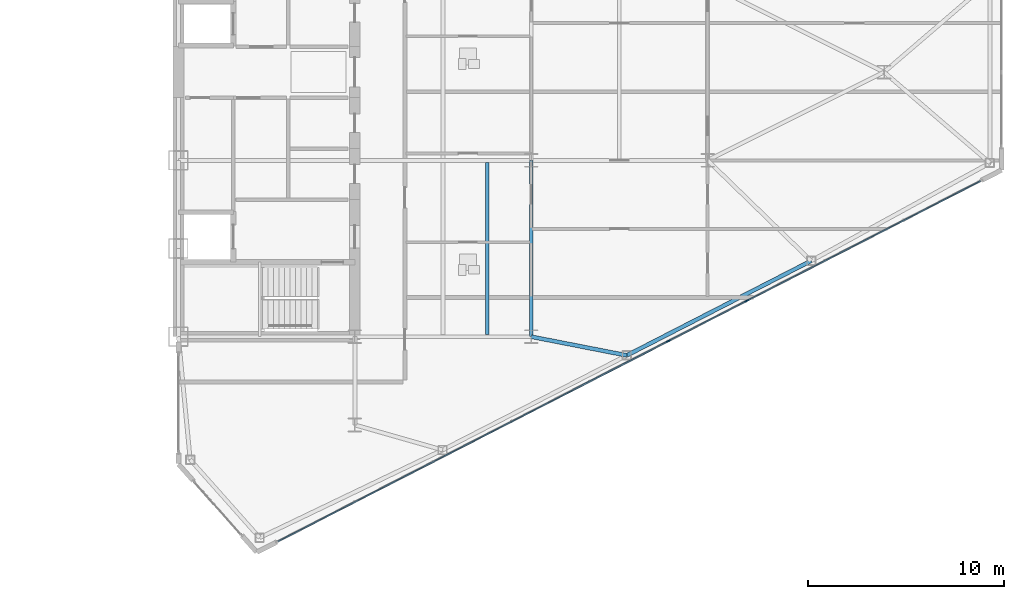
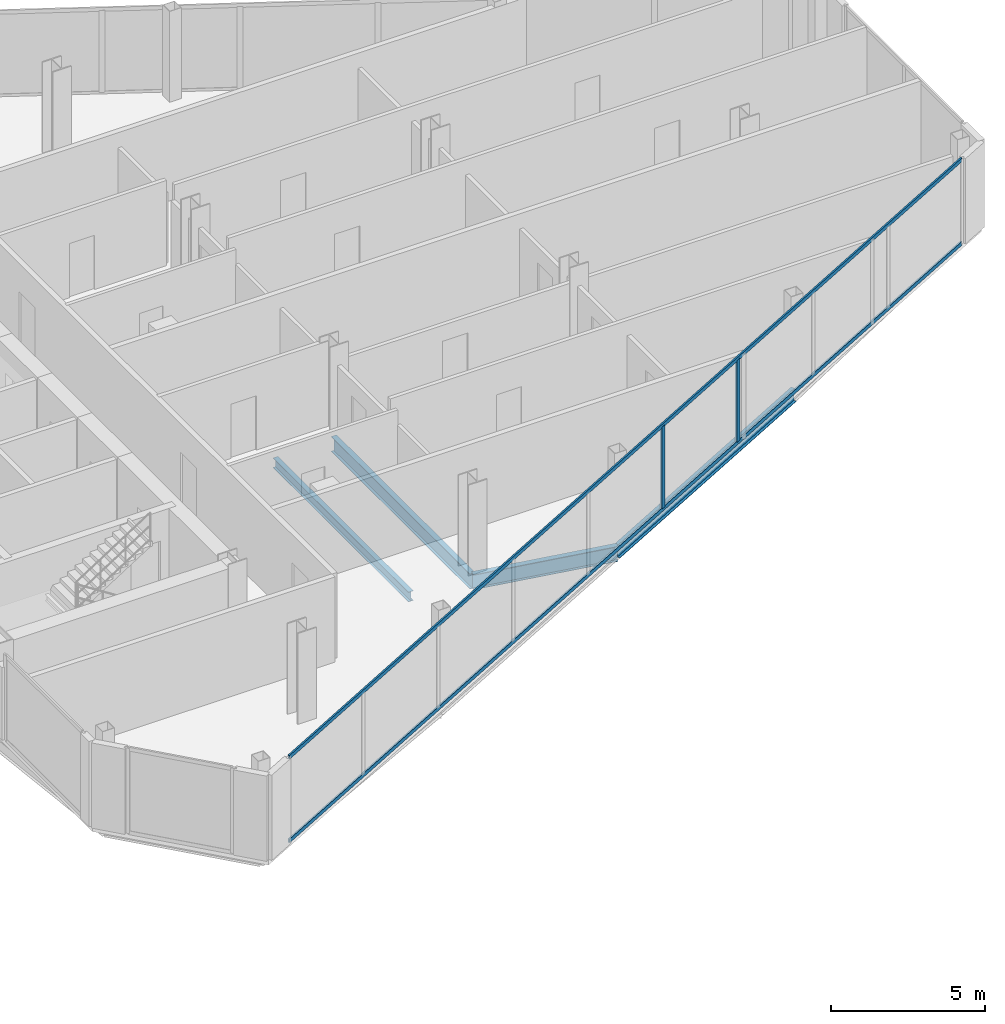
# One storey, part 9 of 23: 4 beams, 4 members, 1 element without a shape of its own.
"""IFC4 building model written with IfcOpenShell, lengths in metres."""

from ifc_helpers import new_model, si_unit, direction, frame, origin, origin_2d, place, context, subcontext, project, spatial, rectangle, i_section, extrude, source, transform, mapped, material, layer, layer_set, material_profile, profile_set, type_object, type_shapes, element, aggregate, save


model = new_model("IFC4")

# Units and contexts
model_context = context("Model", 3, precision=1e-05, world=origin(), true_north=direction((0.0, 1.0)))
body_context = subcontext(model_context, "Body", "Model", "MODEL_VIEW")
ifc_project = project(units=[si_unit("LENGTHUNIT", "METRE"), si_unit("AREAUNIT", "SQUARE_METRE"), si_unit("VOLUMEUNIT", "CUBIC_METRE"), si_unit("PLANEANGLEUNIT", "RADIAN"), si_unit("MASSUNIT", "GRAM", prefix="KILO")], contexts=[model_context])

# Site, building, storey
site_placement = place(None, origin())
site = spatial("IfcSite", under=ifc_project, at=site_placement, CompositionType="ELEMENT")
building_placement = place(site_placement, origin())
building = spatial("IfcBuilding", under=site, at=building_placement, Name="Seokmaru Belvedere", CompositionType="ELEMENT")
storey_placement = place(building_placement, frame((0.0, 0.0, 147.60009765625)))
storey = spatial("IfcBuildingStorey", under=building, at=storey_placement, Name="L39", CompositionType="ELEMENT", Elevation=147.60009765625)

# Beams
ifc_material_1 = material(Name="Steel SM355 (355 MPa)", Category="steel")
ifc_material_profile_1 = material_profile(ifc_material_1, i_section(OverallWidth=0.199951171875, OverallDepth=0.60009765625, WebThickness=0.010986328125, FlangeThickness=0.01708984375, at=origin_2d()), Name="H-600x200x11x17")
ifc_profile_set_1 = profile_set([ifc_material_profile_1], Name="Steel SM355 (355 MPa)")
beam_type_1 = type_object("IfcBeamType", Name="Primary Floor Girder H-600", PredefinedType="BEAM", material=ifc_profile_set_1)
shared_shape_1 = source(origin(), body_context, "Body", "SweptSolid", [
    extrude(i_section(OverallWidth=0.199951171875, OverallDepth=0.60009765625, WebThickness=0.010986328125, FlangeThickness=0.01708984375, at=origin_2d()), origin(), (0.0, 0.0, 1.0), 9.0),
])
beam_1_placement = place(storey_placement, frame((45.5, -13.5, -0.52001953125), z_axis=(0.0, 1.0, 0.0), x_axis=(-1.0, 0.0, 0.0)))
element("IfcBeam", 1, at=beam_1_placement, inside=storey, type_object=beam_type_1, Name="L39 E Interior Grid Girder 1", PredefinedType="BEAM", context=body_context, shape_type="MappedRepresentation", body=[
    mapped(shared_shape_1, transform((0.0, 0.0, 0.0), scale=1.0)),
])
ifc_material_profile_2 = material_profile(ifc_material_1, i_section(OverallWidth=0.18505859375, OverallDepth=0.389892578125, WebThickness=0.008056640625, FlangeThickness=0.011962890625, at=origin_2d()), Name="H-390x185x8x12")
ifc_profile_set_2 = profile_set([ifc_material_profile_2], Name="Steel SM355 (355 MPa)")
beam_type_2 = type_object("IfcBeamType", Name="Secondary Floor Joist H-350", PredefinedType="JOIST", material=ifc_profile_set_2)
shared_shape_2 = source(origin(), body_context, "Body", "SweptSolid", [
    extrude(i_section(OverallWidth=0.18505859375, OverallDepth=0.389892578125, WebThickness=0.008056640625, FlangeThickness=0.011962890625, at=origin_2d()), origin(), (0.0, 0.0, 1.0), 8.7900390625),
])
type_shapes(beam_type_2, [shared_shape_2])
beam_2_placement = place(storey_placement, frame((43.25, -13.39501953125, -0.4150390625), z_axis=(0.0, 1.0, 0.0), x_axis=(-1.0, 0.0, 0.0)))
element("IfcBeam", 2, at=beam_2_placement, inside=storey, type_object=beam_type_2, Name="L39 E Wing Inner Secondary Joist 1", PredefinedType="JOIST", context=body_context, shape_type="MappedRepresentation", body=[
    mapped(shared_shape_2, transform((0.0, 0.0, 0.0), scale=1.0)),
])
ifc_material_profile_3 = material_profile(ifc_material_1, i_section(OverallWidth=0.199951171875, OverallDepth=0.5, WebThickness=0.010009765625, FlangeThickness=0.01611328125, at=origin_2d()), Name="H-500x200x10x16")
ifc_profile_set_3 = profile_set([ifc_material_profile_3], Name="Steel SM355 (355 MPa)")
beam_type_3 = type_object("IfcBeamType", Name="Perimeter Spandrel Beam H-500", PredefinedType="SPANDREL", material=ifc_profile_set_3)
shared_shape_3 = source(origin(), body_context, "Body", "SweptSolid", [
    extrude(i_section(OverallWidth=0.199951171875, OverallDepth=0.5, WebThickness=0.010009765625, FlangeThickness=0.01611328125, at=origin_2d()), origin(), (0.0, 0.0, 1.0), 10.56689453125),
])
type_shapes(beam_type_3, [shared_shape_3])
beam_3_placement = place(storey_placement, frame((50.377197265625, -14.453369140625, -0.47021484375), z_axis=(0.889692588006, 0.456560071455, 0.0), x_axis=(-0.456560071455, 0.889692588006, 0.0)))
element("IfcBeam", 3, at=beam_3_placement, inside=storey, type_object=beam_type_3, Name="L39 E Faceted Flank Spandrel S-3", PredefinedType="SPANDREL", context=body_context, shape_type="MappedRepresentation", body=[
    mapped(shared_shape_3, transform((0.0, 0.0, 0.0), scale=1.0)),
])
shared_shape_4 = source(origin(), body_context, "Body", "SweptSolid", [
    extrude(i_section(OverallWidth=0.199951171875, OverallDepth=0.60009765625, WebThickness=0.010986328125, FlangeThickness=0.01708984375, at=origin_2d()), origin(), (0.0, 0.0, 1.0), 4.969482421875),
])
type_shapes(beam_type_1, [shared_shape_1, shared_shape_4])
beam_4_placement = place(storey_placement, frame((50.377197265625, -14.453369140625, -0.52001953125), z_axis=(-0.98142544456, 0.19184393858, 0.0), x_axis=(-0.19184393858, -0.98142544456, 0.0)))
element("IfcBeam", 4, at=beam_4_placement, inside=storey, type_object=beam_type_1, Name="L39 E Flank Radial Floor Girder S-2", PredefinedType="BEAM", context=body_context, shape_type="MappedRepresentation", body=[
    mapped(shared_shape_4, transform((0.0, 0.0, 0.0), scale=1.0)),
])

# Curtain wall, members
ifc_material_2 = material(Name="Bronze Triple Insulating Glass", Category="glass")
ifc_layer = layer(ifc_material_2, 0.195068359375)
ifc_layer_set = layer_set([ifc_layer], Name="Bronze Triple Insulating Glass")
curtain_wall_type = type_object("IfcCurtainWallType", Name="Sky-Lobby and Mid-Rise Curtain Wall System CW-4", PredefinedType="NOTDEFINED", material=ifc_layer_set)
curtain_wall_placement = place(storey_placement, origin())
curtain_wall = element("IfcCurtainWall", 5, at=curtain_wall_placement, inside=storey, type_object=curtain_wall_type, Name="L39 Curtain Wall EF1", PredefinedType="NOTDEFINED")
ifc_material_3 = material(Name="Anodised Bronze Aluminium", Category="aluminium")
ifc_material_profile_4 = material_profile(ifc_material_3, rectangle(XDim=0.070068359375, YDim=0.195068359375, at=origin_2d()), Name="CW-M-70x195")
ifc_profile_set_4 = profile_set([ifc_material_profile_4], Name="Anodised Bronze Aluminium")
member_type_1 = type_object("IfcMemberType", Name="Bronze Unitised Mullion 70x195", PredefinedType="MULLION", material=ifc_profile_set_4)
shared_shape_5 = source(origin(), body_context, "Body", "SweptSolid", [
    extrude(rectangle(XDim=0.070068359375, YDim=0.195068359375, at=origin_2d()), origin(), (0.0, 0.0, 1.0), 3.25),
])
type_shapes(member_type_1, [shared_shape_5])
member_1_placement = place(storey_placement, frame((52.497314453125, -13.72509765625, 0.06494140625), z_axis=(0.0, 0.0, 1.0), x_axis=(-0.456554528263, 0.889695432562, 0.0)))
member_1 = element("IfcMember", 6, at=member_1_placement, type_object=member_type_1, Name="CW:L39:EF1 Mullion 6", PredefinedType="MULLION", context=body_context, shape_type="MappedRepresentation", body=[
    mapped(shared_shape_5, transform((0.0, 0.0, 0.0), scale=1.0)),
])
member_2_placement = place(storey_placement, frame((56.4921875, -11.675048828125, 0.06494140625), z_axis=(0.0, 0.0, 1.0), x_axis=(-0.456554528263, 0.889695432562, 0.0)))
member_2 = element("IfcMember", 7, at=member_2_placement, type_object=member_type_1, Name="CW:L39:EF1 Mullion 7", PredefinedType="MULLION", context=body_context, shape_type="MappedRepresentation", body=[
    mapped(shared_shape_5, transform((0.0, 0.0, 0.0), scale=1.0)),
])
ifc_material_profile_5 = material_profile(ifc_material_3, rectangle(XDim=0.06494140625, YDim=0.14990234375, at=origin_2d()), Name="CW-T-65x150")
ifc_profile_set_5 = profile_set([ifc_material_profile_5], Name="Anodised Bronze Aluminium")
member_type_2 = type_object("IfcMemberType", Name="Bronze Unitised Transom 65x150", PredefinedType="USERDEFINED", material=ifc_profile_set_5)
shared_shape_6 = source(origin(), body_context, "Body", "SweptSolid", [
    extrude(rectangle(XDim=0.06494140625, YDim=0.14990234375, at=origin_2d()), origin(), (0.0, 0.0, 1.0), 40.271240234375),
])
type_shapes(member_type_2, [shared_shape_6])
member_3_placement = place(storey_placement, frame((32.58544921875, -23.943115234375, 0.032470703125), z_axis=(0.889693089107, 0.456559094965, 0.0), x_axis=(-0.456559094965, 0.889693089107, 0.0)))
member_3 = element("IfcMember", 8, at=member_3_placement, type_object=member_type_2, Name="CW:L39:EF1 Continuous Transom 1", ObjectType="TRANSOM", PredefinedType="USERDEFINED", context=body_context, shape_type="MappedRepresentation", body=[
    mapped(shared_shape_6, transform((0.0, 0.0, 0.0), scale=1.0)),
])
member_4_placement = place(storey_placement, frame((32.58544921875, -23.943115234375, 3.347412109375), z_axis=(0.889693089107, 0.456559094965, 0.0), x_axis=(-0.456559094965, 0.889693089107, 0.0)))
member_4 = element("IfcMember", 9, at=member_4_placement, type_object=member_type_2, Name="CW:L39:EF1 Continuous Transom 2", ObjectType="TRANSOM", PredefinedType="USERDEFINED", context=body_context, shape_type="MappedRepresentation", body=[
    mapped(shared_shape_6, transform((0.0, 0.0, 0.0), scale=1.0)),
])
aggregate(curtain_wall, [member_1, member_2, member_3, member_4])

save(model, "model.ifc")
